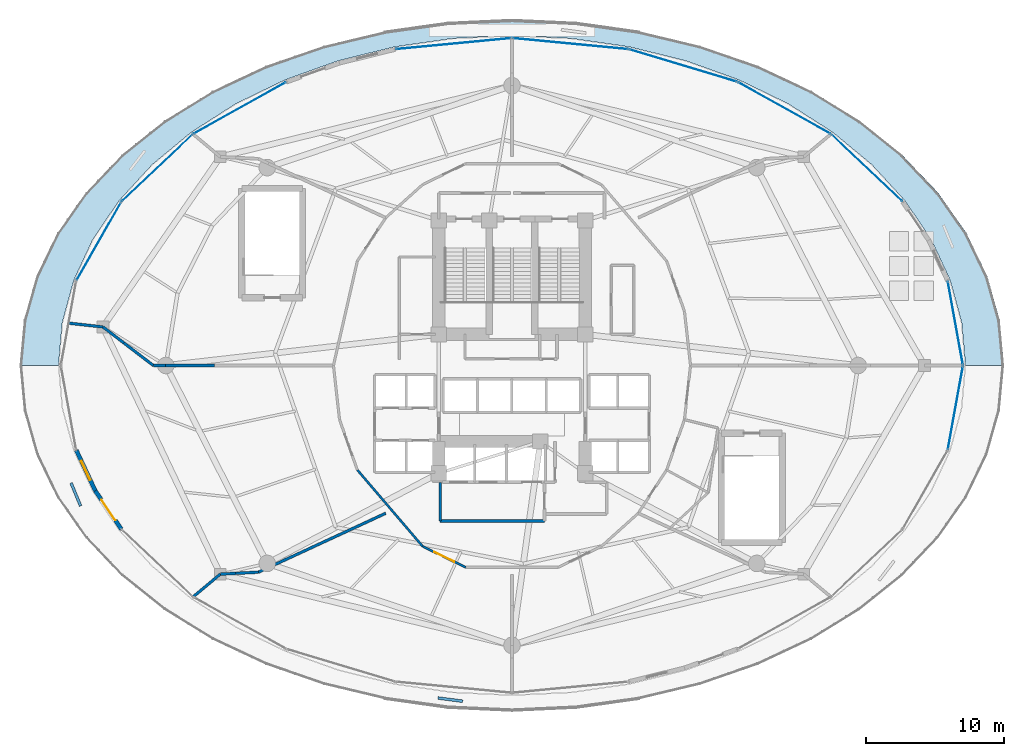
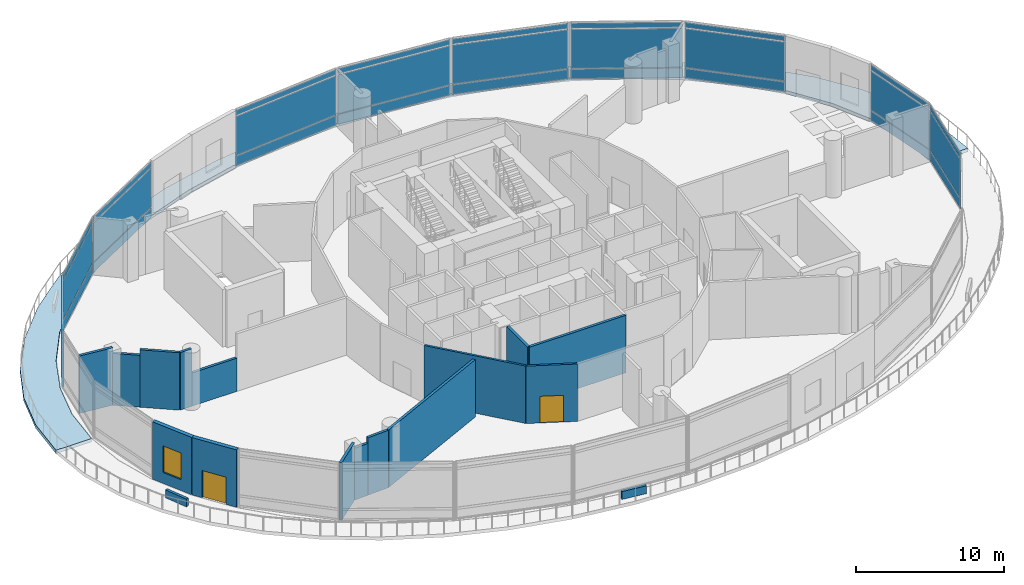
# One storey, part 25 of 34: 30 plates, 17 walls, 2 doors, 1 slab, 1 window, 3 openings, 10 elements without a shape of their own.
"""IFC4 building model written with IfcOpenShell, lengths in metres."""

import ifcopenshell
import ifcopenshell.guid

model = None  # the IFC model being written
_history = None  # IfcOwnerHistory: only IFC2X3 demands one
_inside = {}  # id of a spatial element -> (the spatial element, [elements in it])
_under = {}  # id of a project, library or spatial element -> (it, [spatial elements below it])
_declared = {}  # id of a project -> (the project, [libraries it declares])
_typed = {}  # id of a type object -> (the type object, [elements of that type])
_made_of = {}  # id of a material, layer set ... -> (it, [elements and type objects made of it])


def new_model(schema):
    """Start an empty IFC model of exactly this schema.

    Asked for "IFC4X3", IfcOpenShell would pick the latest addendum, in which some entities
    have other attributes; the version numbers below select the first issue.
    IFC2X3 requires an IfcOwnerHistory on every rooted entity: one is made here for all.
    """
    global model, _history
    if schema == "IFC4X3":
        model = ifcopenshell.file(schema_version=(4, 3, 0, 0))
    else:
        model = ifcopenshell.file(schema=schema)
    _inside.clear()
    _under.clear()
    _declared.clear()
    _typed.clear()
    _made_of.clear()
    _history = None
    if model.schema == "IFC2X3":
        org = make("IfcOrganization", Name="unknown")
        user = make(
            "IfcPersonAndOrganization",
            ThePerson=make("IfcPerson", FamilyName="unknown"),
            TheOrganization=org,
        )
        app = make(
            "IfcApplication",
            ApplicationDeveloper=org,
            Version="unknown",
            ApplicationFullName="unknown",
            ApplicationIdentifier="unknown",
        )
        _history = make(
            "IfcOwnerHistory",
            OwningUser=user,
            OwningApplication=app,
            ChangeAction="ADDED",
            CreationDate=0,
        )
    return model


def make(cls, **values):
    """One entity of the class cls with the attributes given. An attribute that is None is left unset."""
    return model.create_entity(
        cls, **{name: value for name, value in values.items() if value is not None}
    )


def rooted(cls, **values):
    """An entity with a GlobalId (a new one), such as an element, a storey or a relation."""
    return make(cls, GlobalId=ifcopenshell.guid.new(), OwnerHistory=_history, **values)


def si_unit(unit_type, name, prefix=None):
    """IfcSIUnit, for example si_unit("LENGTHUNIT", "METRE", prefix="MILLI")."""
    return make("IfcSIUnit", UnitType=unit_type, Prefix=prefix, Name=name)


def assignment(units):
    """IfcUnitAssignment: the units of a project."""
    return None if units is None else make("IfcUnitAssignment", Units=units)


def point(xyz):
    """IfcCartesianPoint."""
    return None if xyz is None else make("IfcCartesianPoint", Coordinates=xyz)


def direction(xyz):
    """IfcDirection."""
    return None if xyz is None else make("IfcDirection", DirectionRatios=xyz)


def frame(location, z_axis=None, x_axis=None):
    """IfcAxis2Placement3D, a coordinate frame: its origin and axes. An axis left out is left unset."""
    return make(
        "IfcAxis2Placement3D",
        Location=point(location),
        Axis=direction(z_axis),
        RefDirection=direction(x_axis),
    )


def frame_2d(location, x_axis=None):
    """IfcAxis2Placement2D, a coordinate frame in the plane: its origin and x axis."""
    return make(
        "IfcAxis2Placement2D", Location=point(location), RefDirection=direction(x_axis)
    )


def origin():
    """The frame at (0, 0, 0) with its axes left unset."""
    return frame((0.0, 0.0, 0.0))


def origin_2d():
    """The frame at (0, 0) in the plane with its x axis left unset."""
    return frame_2d((0.0, 0.0))


def place(relative_to, where):
    """IfcLocalPlacement: puts the frame where relative to a parent placement (None: the world)."""
    return make(
        "IfcLocalPlacement", PlacementRelTo=relative_to, RelativePlacement=where
    )


def context(
    kind, dimensions, precision=None, world=None, true_north=None, identifier=None
):
    """IfcGeometricRepresentationContext, for example the 3D "Model" context."""
    return make(
        "IfcGeometricRepresentationContext",
        ContextIdentifier=identifier,
        ContextType=kind,
        CoordinateSpaceDimension=dimensions,
        Precision=precision,
        WorldCoordinateSystem=world,
        TrueNorth=true_north,
    )


def subcontext(parent, identifier, kind, view, scale=None):
    """IfcGeometricRepresentationSubContext, for example "Body" below "Model"."""
    return make(
        "IfcGeometricRepresentationSubContext",
        ContextIdentifier=identifier,
        ContextType=kind,
        ParentContext=parent,
        TargetScale=scale,
        TargetView=view,
    )


def project(units=None, contexts=None):
    """IfcProject with its units and contexts."""
    return rooted(
        "IfcProject",
        Name="project",
        RepresentationContexts=contexts,
        UnitsInContext=assignment(units),
    )


def spatial(cls, under=None, at=None, **own):
    """A site, building, storey or space (cls), placed at a placement, below another one or the project."""
    s = rooted(cls, ObjectPlacement=at, **own)
    if under is not None:
        _under.setdefault(under.id(), (under, []))[1].append(s)
    return s


def polyline(points):
    """IfcPolyline through the points."""
    return make("IfcPolyline", Points=[point(p) for p in points])


def profile(cls, at=None, kind="AREA", **sizes):
    """A parametric profile (cls). Its sizes go by their IFC names, for example OverallWidth=200.0."""
    return make(cls, ProfileType=kind, Position=at, **sizes)


def rectangle(**sizes):
    """IfcRectangleProfileDef."""
    return profile("IfcRectangleProfileDef", **sizes)


def outline(outer, holes=None, kind="AREA"):
    """IfcArbitraryClosedProfileDef: a profile drawn as a closed curve; with holes, ...WithVoids."""
    if holes is None:
        return make("IfcArbitraryClosedProfileDef", ProfileType=kind, OuterCurve=outer)
    return make(
        "IfcArbitraryProfileDefWithVoids",
        ProfileType=kind,
        OuterCurve=outer,
        InnerCurves=holes,
    )


def extrude(swept, where, along, depth):
    """IfcExtrudedAreaSolid: the profile swept, set in the frame where, extruded along a direction by depth."""
    return make(
        "IfcExtrudedAreaSolid",
        SweptArea=swept,
        Position=where,
        ExtrudedDirection=direction(along),
        Depth=depth,
    )


def shape(context_of_items, identifier, shape_type, items):
    """IfcShapeRepresentation: the items that make up one representation, for example the "Body"."""
    return make(
        "IfcShapeRepresentation",
        ContextOfItems=context_of_items,
        RepresentationIdentifier=identifier,
        RepresentationType=shape_type,
        Items=items,
    )


def material(Name=None, Category=None):
    """IfcMaterial."""
    return make("IfcMaterial", Name=Name, Category=Category)


def layer(
    of_material, thickness, ventilated=None, Name=None, Category=None, Priority=None
):
    """IfcMaterialLayer: one layer of a wall or slab, of a material (None: an air gap)."""
    return make(
        "IfcMaterialLayer",
        Material=of_material,
        LayerThickness=thickness,
        IsVentilated=ventilated,
        Name=Name,
        Category=Category,
        Priority=Priority,
    )


def layer_set(layers, Name=None):
    """IfcMaterialLayerSet."""
    return make("IfcMaterialLayerSet", MaterialLayers=layers, LayerSetName=Name)


def made_of(thing, what):
    """Note that an element or type object is made of a material, layer set ...; save() writes the relation."""
    if what is not None:
        _made_of.setdefault(what.id(), (what, []))[1].append(thing)
    return thing


def type_object(cls, material=None, **own):
    """A type object (cls), such as IfcWallType, which elements share."""
    return made_of(rooted(cls, **own), material)


def element(
    cls,
    number,
    at=None,
    inside=None,
    cuts=None,
    type_object=None,
    material=None,
    context=None,
    identifier="Body",
    shape_type=None,
    held_by="IfcProductDefinitionShape",
    body=None,
    shapes=None,
    **own,
):
    """One element of the class cls, such as IfcWall. Its Tag is "e" and its number.

    at: its placement. inside: the storey or other place that contains it. cuts: it is an
    opening in that element (IfcRelVoidsElement). A single representation is given by context,
    identifier, shape_type and body (its items); several are given by shapes. held_by: the class
    of the entity that holds the representations. save() writes the other relations.
    """
    e = rooted(cls, Tag="e%d" % number, ObjectPlacement=at, **own)
    if body is not None:
        shapes = [shape(context, identifier, shape_type, body)]
    if shapes is not None:
        e.Representation = make(held_by, Representations=shapes)
    if inside is not None:
        _inside.setdefault(inside.id(), (inside, []))[1].append(e)
    if cuts is not None:
        rooted(
            "IfcRelVoidsElement", RelatingBuildingElement=cuts, RelatedOpeningElement=e
        )
    if type_object is not None:
        _typed.setdefault(type_object.id(), (type_object, []))[1].append(e)
    return made_of(e, material)


def fill(opening, filler):
    """IfcRelFillsElement: the door or window that sits in an opening."""
    return rooted(
        "IfcRelFillsElement",
        RelatingOpeningElement=opening,
        RelatedBuildingElement=filler,
    )


def aggregate(whole, parts):
    """IfcRelAggregates: a whole, such as a stair, and the parts it consists of."""
    return rooted("IfcRelAggregates", RelatingObject=whole, RelatedObjects=parts)


def save(model, path):
    """Write the relations noted so far, then the file.

    IfcRelAggregates (storeys below a building ...), IfcRelContainedInSpatialStructure (elements
    in a storey), IfcRelDefinesByType, IfcRelAssociatesMaterial and IfcRelDeclares: one each for
    every whole, place, type object, material and project.
    """
    for whole, parts in _under.values():
        aggregate(whole, parts)
    for where, things in _inside.values():
        rooted(
            "IfcRelContainedInSpatialStructure",
            RelatedElements=things,
            RelatingStructure=where,
        )
    for kind, things in _typed.values():
        rooted("IfcRelDefinesByType", RelatedObjects=things, RelatingType=kind)
    for what, things in _made_of.values():
        rooted("IfcRelAssociatesMaterial", RelatedObjects=things, RelatingMaterial=what)
    for by, libraries in _declared.values():
        rooted("IfcRelDeclares", RelatingContext=by, RelatedDefinitions=libraries)
    model.write(path)


model = new_model("IFC4")

# Units and contexts
model_context = context("Model", 3, precision=1e-05, world=origin(), true_north=direction((0.0, 1.0)))
body_context = subcontext(model_context, "Body", "Model", "MODEL_VIEW")
ifc_project = project(units=[si_unit("LENGTHUNIT", "METRE"), si_unit("AREAUNIT", "SQUARE_METRE"), si_unit("VOLUMEUNIT", "CUBIC_METRE"), si_unit("PLANEANGLEUNIT", "RADIAN"), si_unit("MASSUNIT", "GRAM", prefix="KILO")], contexts=[model_context])

# Site, building, storey
site_placement = place(None, origin())
site = spatial("IfcSite", under=ifc_project, at=site_placement, CompositionType="ELEMENT")
building_placement = place(site_placement, origin())
building = spatial("IfcBuilding", under=site, at=building_placement, Name="Nuhasar Tower", CompositionType="ELEMENT")
storey_placement = place(building_placement, frame((0.0, 0.0, 16.0)))
storey = spatial("IfcBuildingStorey", under=building, at=storey_placement, Name="L03", CompositionType="ELEMENT", Elevation=16.0)

# Curtain wall, plates
ifc_material_1 = material(Name="Aluminium 6063-T6", Category="aluminium")
ifc_layer_1 = layer(ifc_material_1, 0.219970703125)
ifc_layer_set_1 = layer_set([ifc_layer_1], Name="Aluminium 6063-T6")
curtain_wall_type = type_object("IfcCurtainWallType", Name="CW-PODIUM", PredefinedType="NOTDEFINED", material=ifc_layer_set_1)
curtain_wall_1_placement = place(storey_placement, origin())
curtain_wall_1 = element("IfcCurtainWall", 1, at=curtain_wall_1_placement, inside=storey, type_object=curtain_wall_type, Name="L03 Podium Curtain Wall Bay 01", PredefinedType="NOTDEFINED")
ifc_material_2 = material(Name="Glass Double Low-E", Category="glass")
ifc_layer_2 = layer(ifc_material_2, 0.028076171875)
ifc_layer_set_2 = layer_set([ifc_layer_2], Name="Glass Double Low-E")
plate_type_1 = type_object("IfcPlateType", Name="CW-PANEL-GLZ", PredefinedType="CURTAIN_PANEL", material=ifc_layer_set_2)
plate_1_placement = place(storey_placement, frame((71.083984375, 29.865478515625, 0.9375), z_axis=(0.0, 0.0, 1.0), x_axis=(-0.178461735474, 0.983946852717, 0.0)))
plate_1 = element("IfcPlate", 2, at=plate_1_placement, type_object=plate_type_1, Name="CW-P1 panel 1.2", PredefinedType="CURTAIN_PANEL", context=body_context, shape_type="SweptSolid", body=[
    extrude(rectangle(XDim=6.0810546875, YDim=0.028076171875, at=origin_2d()), origin(), (0.0, 0.0, 1.0), 3.215087890625),
])
plate_2_placement = place(storey_placement, frame((71.083984375, 29.865478515625, 4.2275390625), z_axis=(0.0, 0.0, 1.0), x_axis=(-0.178461735474, 0.983946852717, 0.0)))
plate_2 = element("IfcPlate", 3, at=plate_2_placement, type_object=plate_type_1, Name="CW-P1 panel 1.3", PredefinedType="CURTAIN_PANEL", context=body_context, shape_type="SweptSolid", body=[
    extrude(rectangle(XDim=6.0810546875, YDim=0.028076171875, at=origin_2d()), origin(), (0.0, 0.0, 1.0), 0.4375),
])

curtain_wall_2_placement = place(storey_placement, origin())
curtain_wall_2 = element("IfcCurtainWall", 4, at=curtain_wall_2_placement, inside=storey, type_object=curtain_wall_type, Name="L03 Podium Curtain Wall Bay 03", PredefinedType="NOTDEFINED")
plate_3_placement = place(storey_placement, frame((64.673583984375, 41.097900390625, 0.9375), z_axis=(0.0, 0.0, 1.0), x_axis=(-0.726511881777, 0.687153902439, 0.0)))
plate_3 = element("IfcPlate", 5, at=plate_3_placement, type_object=plate_type_1, Name="CW-P1 panel 1.2", PredefinedType="CURTAIN_PANEL", context=body_context, shape_type="SweptSolid", body=[
    extrude(rectangle(XDim=6.989501953125, YDim=0.028076171875, at=origin_2d()), origin(), (0.0, 0.0, 1.0), 3.215087890625),
])
plate_4_placement = place(storey_placement, frame((64.673583984375, 41.097900390625, 4.2275390625), z_axis=(0.0, 0.0, 1.0), x_axis=(-0.726511881777, 0.687153902439, 0.0)))
plate_4 = element("IfcPlate", 6, at=plate_4_placement, type_object=plate_type_1, Name="CW-P1 panel 1.3", PredefinedType="CURTAIN_PANEL", context=body_context, shape_type="SweptSolid", body=[
    extrude(rectangle(XDim=6.989501953125, YDim=0.028076171875, at=origin_2d()), origin(), (0.0, 0.0, 1.0), 0.4375),
])

curtain_wall_3_placement = place(storey_placement, origin())
curtain_wall_3 = element("IfcCurtainWall", 7, at=curtain_wall_3_placement, inside=storey, type_object=curtain_wall_type, Name="L03 Podium Curtain Wall Bay 04", PredefinedType="NOTDEFINED")
plate_5_placement = place(storey_placement, frame((58.699951171875, 45.43359375, 0.9375), z_axis=(0.0, 0.0, 1.0), x_axis=(-0.873638613406, 0.486575351992, 0.0)))
plate_5 = element("IfcPlate", 8, at=plate_5_placement, type_object=plate_type_1, Name="CW-P1 panel 1.2", PredefinedType="CURTAIN_PANEL", context=body_context, shape_type="SweptSolid", body=[
    extrude(rectangle(XDim=7.587646484375, YDim=0.028076171875, at=origin_2d()), origin(), (0.0, 0.0, 1.0), 3.215087890625),
])
plate_6_placement = place(storey_placement, frame((58.699951171875, 45.43359375, 4.2275390625), z_axis=(0.0, 0.0, 1.0), x_axis=(-0.873638613406, 0.486575351992, 0.0)))
plate_6 = element("IfcPlate", 9, at=plate_6_placement, type_object=plate_type_1, Name="CW-P1 panel 1.3", PredefinedType="CURTAIN_PANEL", context=body_context, shape_type="SweptSolid", body=[
    extrude(rectangle(XDim=7.587646484375, YDim=0.028076171875, at=origin_2d()), origin(), (0.0, 0.0, 1.0), 0.4375),
])

curtain_wall_4_placement = place(storey_placement, origin())
curtain_wall_4 = element("IfcCurtainWall", 10, at=curtain_wall_4_placement, inside=storey, type_object=curtain_wall_type, Name="L03 Podium Curtain Wall Bay 05", PredefinedType="NOTDEFINED")
plate_7_placement = place(storey_placement, frame((51.384033203125, 48.49951171875, 0.9375), z_axis=(0.0, 0.0, 1.0), x_axis=(-0.957645291583, 0.287950508783, 0.0)))
plate_7 = element("IfcPlate", 11, at=plate_7_placement, type_object=plate_type_1, Name="CW-P1 panel 1.2", PredefinedType="CURTAIN_PANEL", context=body_context, shape_type="SweptSolid", body=[
    extrude(rectangle(XDim=8.070068359375, YDim=0.028076171875, at=origin_2d()), origin(), (0.0, 0.0, 1.0), 3.215087890625),
])
plate_8_placement = place(storey_placement, frame((51.384033203125, 48.49951171875, 4.2275390625), z_axis=(0.0, 0.0, 1.0), x_axis=(-0.957645291583, 0.287950508783, 0.0)))
plate_8 = element("IfcPlate", 12, at=plate_8_placement, type_object=plate_type_1, Name="CW-P1 panel 1.3", PredefinedType="CURTAIN_PANEL", context=body_context, shape_type="SweptSolid", body=[
    extrude(rectangle(XDim=8.070068359375, YDim=0.028076171875, at=origin_2d()), origin(), (0.0, 0.0, 1.0), 0.4375),
])

curtain_wall_5_placement = place(storey_placement, origin())
curtain_wall_5 = element("IfcCurtainWall", 13, at=curtain_wall_5_placement, inside=storey, type_object=curtain_wall_type, Name="L03 Podium Curtain Wall Bay 06", PredefinedType="NOTDEFINED")
plate_9_placement = place(storey_placement, frame((43.22412109375, 50.08642578125, 0.9375), z_axis=(0.0, 0.0, 1.0), x_axis=(-0.995468422873, 0.095092686697, 0.0)))
plate_9 = element("IfcPlate", 14, at=plate_9_placement, type_object=plate_type_1, Name="CW-P1 panel 1.2", PredefinedType="CURTAIN_PANEL", context=body_context, shape_type="SweptSolid", body=[
    extrude(rectangle(XDim=8.33642578125, YDim=0.028076171875, at=origin_2d()), origin(), (0.0, 0.0, 1.0), 3.215087890625),
])
plate_10_placement = place(storey_placement, frame((43.22412109375, 50.08642578125, 4.2275390625), z_axis=(0.0, 0.0, 1.0), x_axis=(-0.995468422873, 0.095092686697, 0.0)))
plate_10 = element("IfcPlate", 15, at=plate_10_placement, type_object=plate_type_1, Name="CW-P1 panel 1.3", PredefinedType="CURTAIN_PANEL", context=body_context, shape_type="SweptSolid", body=[
    extrude(rectangle(XDim=8.33642578125, YDim=0.028076171875, at=origin_2d()), origin(), (0.0, 0.0, 1.0), 0.4375),
])

curtain_wall_6_placement = place(storey_placement, origin())
curtain_wall_6 = element("IfcCurtainWall", 16, at=curtain_wall_6_placement, inside=storey, type_object=curtain_wall_type, Name="L03 Podium Curtain Wall Bay 07", PredefinedType="NOTDEFINED")
plate_11_placement = place(storey_placement, frame((34.77587890625, 50.08642578125, 0.9375), z_axis=(0.0, 0.0, 1.0), x_axis=(-0.995468422873, -0.095092686697, 0.0)))
plate_11 = element("IfcPlate", 17, at=plate_11_placement, type_object=plate_type_1, Name="CW-P1 panel 1.2", PredefinedType="CURTAIN_PANEL", context=body_context, shape_type="SweptSolid", body=[
    extrude(rectangle(XDim=8.33642578125, YDim=0.028076171875, at=origin_2d()), origin(), (0.0, 0.0, 1.0), 3.215087890625),
])
plate_12_placement = place(storey_placement, frame((34.77587890625, 50.08642578125, 4.2275390625), z_axis=(0.0, 0.0, 1.0), x_axis=(-0.995468422873, -0.095092686697, 0.0)))
plate_12 = element("IfcPlate", 18, at=plate_12_placement, type_object=plate_type_1, Name="CW-P1 panel 1.3", PredefinedType="CURTAIN_PANEL", context=body_context, shape_type="SweptSolid", body=[
    extrude(rectangle(XDim=8.33642578125, YDim=0.028076171875, at=origin_2d()), origin(), (0.0, 0.0, 1.0), 0.4375),
])

curtain_wall_7_placement = place(storey_placement, origin())
curtain_wall_7 = element("IfcCurtainWall", 19, at=curtain_wall_7_placement, inside=storey, type_object=curtain_wall_type, Name="L03 Podium Curtain Wall Bay 09", PredefinedType="NOTDEFINED")
plate_13_placement = place(storey_placement, frame((19.300048828125, 45.43359375, 0.9375), z_axis=(0.0, 0.0, 1.0), x_axis=(-0.873638613406, -0.486575351992, 0.0)))
plate_13 = element("IfcPlate", 20, at=plate_13_placement, type_object=plate_type_1, Name="CW-P1 panel 1.2", PredefinedType="CURTAIN_PANEL", context=body_context, shape_type="SweptSolid", body=[
    extrude(rectangle(XDim=7.587646484375, YDim=0.028076171875, at=origin_2d()), origin(), (0.0, 0.0, 1.0), 3.215087890625),
])
plate_14_placement = place(storey_placement, frame((19.300048828125, 45.43359375, 4.2275390625), z_axis=(0.0, 0.0, 1.0), x_axis=(-0.873638613406, -0.486575351992, 0.0)))
plate_14 = element("IfcPlate", 21, at=plate_14_placement, type_object=plate_type_1, Name="CW-P1 panel 1.3", PredefinedType="CURTAIN_PANEL", context=body_context, shape_type="SweptSolid", body=[
    extrude(rectangle(XDim=7.587646484375, YDim=0.028076171875, at=origin_2d()), origin(), (0.0, 0.0, 1.0), 0.4375),
])

curtain_wall_8_placement = place(storey_placement, origin())
curtain_wall_8 = element("IfcCurtainWall", 22, at=curtain_wall_8_placement, inside=storey, type_object=curtain_wall_type, Name="L03 Podium Curtain Wall Bay 10", PredefinedType="NOTDEFINED")
plate_15_placement = place(storey_placement, frame((13.326416015625, 41.097900390625, 0.9375), z_axis=(0.0, 0.0, 1.0), x_axis=(-0.726511881777, -0.687153902439, 0.0)))
plate_15 = element("IfcPlate", 23, at=plate_15_placement, type_object=plate_type_1, Name="CW-P1 panel 1.2", PredefinedType="CURTAIN_PANEL", context=body_context, shape_type="SweptSolid", body=[
    extrude(rectangle(XDim=6.989501953125, YDim=0.028076171875, at=origin_2d()), origin(), (0.0, 0.0, 1.0), 3.215087890625),
])
plate_16_placement = place(storey_placement, frame((13.326416015625, 41.097900390625, 4.2275390625), z_axis=(0.0, 0.0, 1.0), x_axis=(-0.726511881777, -0.687153902439, 0.0)))
plate_16 = element("IfcPlate", 24, at=plate_16_placement, type_object=plate_type_1, Name="CW-P1 panel 1.3", PredefinedType="CURTAIN_PANEL", context=body_context, shape_type="SweptSolid", body=[
    extrude(rectangle(XDim=6.989501953125, YDim=0.028076171875, at=origin_2d()), origin(), (0.0, 0.0, 1.0), 0.4375),
])

curtain_wall_9_placement = place(storey_placement, origin())
curtain_wall_9 = element("IfcCurtainWall", 25, at=curtain_wall_9_placement, inside=storey, type_object=curtain_wall_type, Name="L03 Podium Curtain Wall Bay 11", PredefinedType="NOTDEFINED")
plate_17_placement = place(storey_placement, frame((9.1025390625, 35.7880859375, 0.9375), z_axis=(0.0, 0.0, 1.0), x_axis=(-0.495664164011, -0.86851426961, 0.0)))
plate_17 = element("IfcPlate", 26, at=plate_17_placement, type_object=plate_type_1, Name="CW-P1 panel 1.2", PredefinedType="CURTAIN_PANEL", context=body_context, shape_type="SweptSolid", body=[
    extrude(rectangle(XDim=6.428955078125, YDim=0.028076171875, at=origin_2d()), origin(), (0.0, 0.0, 1.0), 3.215087890625),
])
plate_18_placement = place(storey_placement, frame((9.1025390625, 35.7880859375, 4.2275390625), z_axis=(0.0, 0.0, 1.0), x_axis=(-0.495664164011, -0.86851426961, 0.0)))
plate_18 = element("IfcPlate", 27, at=plate_18_placement, type_object=plate_type_1, Name="CW-P1 panel 1.3", PredefinedType="CURTAIN_PANEL", context=body_context, shape_type="SweptSolid", body=[
    extrude(rectangle(XDim=6.428955078125, YDim=0.028076171875, at=origin_2d()), origin(), (0.0, 0.0, 1.0), 0.4375),
])

curtain_wall_10_placement = place(storey_placement, origin())
curtain_wall_10 = element("IfcCurtainWall", 28, at=curtain_wall_10_placement, inside=storey, type_object=curtain_wall_type, Name="L03 Podium Curtain Wall Bay 24", PredefinedType="NOTDEFINED")
plate_19_placement = place(storey_placement, frame((71.083984375, 23.734619140625, 0.9375), z_axis=(0.0, 0.0, 1.0), x_axis=(0.178461735474, 0.983946852717, 0.0)))
plate_19 = element("IfcPlate", 29, at=plate_19_placement, type_object=plate_type_1, Name="CW-P1 panel 1.2", PredefinedType="CURTAIN_PANEL", context=body_context, shape_type="SweptSolid", body=[
    extrude(rectangle(XDim=6.0810546875, YDim=0.028076171875, at=origin_2d()), origin(), (0.0, 0.0, 1.0), 3.215087890625),
])
plate_20_placement = place(storey_placement, frame((71.083984375, 23.734619140625, 4.2275390625), z_axis=(0.0, 0.0, 1.0), x_axis=(0.178461735474, 0.983946852717, 0.0)))
plate_20 = element("IfcPlate", 30, at=plate_20_placement, type_object=plate_type_1, Name="CW-P1 panel 1.3", PredefinedType="CURTAIN_PANEL", context=body_context, shape_type="SweptSolid", body=[
    extrude(rectangle(XDim=6.0810546875, YDim=0.028076171875, at=origin_2d()), origin(), (0.0, 0.0, 1.0), 0.4375),
])

# Plate
ifc_material_3 = material(Name="Glass Spandrel", Category="glass")
ifc_layer_3 = layer(ifc_material_3, 0.035888671875)
ifc_layer_set_3 = layer_set([ifc_layer_3], Name="Glass Spandrel")
plate_type_2 = type_object("IfcPlateType", Name="CW-PANEL-SPN", PredefinedType="CURTAIN_PANEL", material=ifc_layer_set_3)
plate_21_placement = place(storey_placement, frame((71.083984375, 29.865478515625, 0.074951171875), z_axis=(0.0, 0.0, 1.0), x_axis=(-0.178461735474, 0.983946852717, 0.0)))
plate_21 = element("IfcPlate", 31, at=plate_21_placement, type_object=plate_type_2, Name="CW-P1 panel 1.1", PredefinedType="CURTAIN_PANEL", context=body_context, shape_type="SweptSolid", body=[
    extrude(rectangle(XDim=6.0810546875, YDim=0.035888671875, at=origin_2d()), origin(), (0.0, 0.0, 1.0), 0.78759765625),
])

aggregate(curtain_wall_1, [plate_21, plate_1, plate_2])

plate_22_placement = place(storey_placement, frame((64.673583984375, 41.097900390625, 0.074951171875), z_axis=(0.0, 0.0, 1.0), x_axis=(-0.726511881777, 0.687153902439, 0.0)))
plate_22 = element("IfcPlate", 32, at=plate_22_placement, type_object=plate_type_2, Name="CW-P1 panel 1.1", PredefinedType="CURTAIN_PANEL", context=body_context, shape_type="SweptSolid", body=[
    extrude(rectangle(XDim=6.989501953125, YDim=0.035888671875, at=origin_2d()), origin(), (0.0, 0.0, 1.0), 0.78759765625),
])

aggregate(curtain_wall_2, [plate_22, plate_3, plate_4])

plate_23_placement = place(storey_placement, frame((58.699951171875, 45.43359375, 0.074951171875), z_axis=(0.0, 0.0, 1.0), x_axis=(-0.873638613406, 0.486575351992, 0.0)))
plate_23 = element("IfcPlate", 33, at=plate_23_placement, type_object=plate_type_2, Name="CW-P1 panel 1.1", PredefinedType="CURTAIN_PANEL", context=body_context, shape_type="SweptSolid", body=[
    extrude(rectangle(XDim=7.587646484375, YDim=0.035888671875, at=origin_2d()), origin(), (0.0, 0.0, 1.0), 0.78759765625),
])

aggregate(curtain_wall_3, [plate_23, plate_5, plate_6])

plate_24_placement = place(storey_placement, frame((51.384033203125, 48.49951171875, 0.074951171875), z_axis=(0.0, 0.0, 1.0), x_axis=(-0.957645291583, 0.287950508783, 0.0)))
plate_24 = element("IfcPlate", 34, at=plate_24_placement, type_object=plate_type_2, Name="CW-P1 panel 1.1", PredefinedType="CURTAIN_PANEL", context=body_context, shape_type="SweptSolid", body=[
    extrude(rectangle(XDim=8.070068359375, YDim=0.035888671875, at=origin_2d()), origin(), (0.0, 0.0, 1.0), 0.78759765625),
])

aggregate(curtain_wall_4, [plate_24, plate_7, plate_8])

plate_25_placement = place(storey_placement, frame((43.22412109375, 50.08642578125, 0.074951171875), z_axis=(0.0, 0.0, 1.0), x_axis=(-0.995468422873, 0.095092686697, 0.0)))
plate_25 = element("IfcPlate", 35, at=plate_25_placement, type_object=plate_type_2, Name="CW-P1 panel 1.1", PredefinedType="CURTAIN_PANEL", context=body_context, shape_type="SweptSolid", body=[
    extrude(rectangle(XDim=8.33642578125, YDim=0.035888671875, at=origin_2d()), origin(), (0.0, 0.0, 1.0), 0.78759765625),
])

aggregate(curtain_wall_5, [plate_25, plate_9, plate_10])

plate_26_placement = place(storey_placement, frame((34.77587890625, 50.08642578125, 0.074951171875), z_axis=(0.0, 0.0, 1.0), x_axis=(-0.995468422873, -0.095092686697, 0.0)))
plate_26 = element("IfcPlate", 36, at=plate_26_placement, type_object=plate_type_2, Name="CW-P1 panel 1.1", PredefinedType="CURTAIN_PANEL", context=body_context, shape_type="SweptSolid", body=[
    extrude(rectangle(XDim=8.33642578125, YDim=0.035888671875, at=origin_2d()), origin(), (0.0, 0.0, 1.0), 0.78759765625),
])

aggregate(curtain_wall_6, [plate_26, plate_11, plate_12])

plate_27_placement = place(storey_placement, frame((19.300048828125, 45.43359375, 0.074951171875), z_axis=(0.0, 0.0, 1.0), x_axis=(-0.873638613406, -0.486575351992, 0.0)))
plate_27 = element("IfcPlate", 37, at=plate_27_placement, type_object=plate_type_2, Name="CW-P1 panel 1.1", PredefinedType="CURTAIN_PANEL", context=body_context, shape_type="SweptSolid", body=[
    extrude(rectangle(XDim=7.587646484375, YDim=0.035888671875, at=origin_2d()), origin(), (0.0, 0.0, 1.0), 0.78759765625),
])

aggregate(curtain_wall_7, [plate_27, plate_13, plate_14])

plate_28_placement = place(storey_placement, frame((13.326416015625, 41.097900390625, 0.074951171875), z_axis=(0.0, 0.0, 1.0), x_axis=(-0.726511881777, -0.687153902439, 0.0)))
plate_28 = element("IfcPlate", 38, at=plate_28_placement, type_object=plate_type_2, Name="CW-P1 panel 1.1", PredefinedType="CURTAIN_PANEL", context=body_context, shape_type="SweptSolid", body=[
    extrude(rectangle(XDim=6.989501953125, YDim=0.035888671875, at=origin_2d()), origin(), (0.0, 0.0, 1.0), 0.78759765625),
])

aggregate(curtain_wall_8, [plate_28, plate_15, plate_16])

plate_29_placement = place(storey_placement, frame((9.1025390625, 35.7880859375, 0.074951171875), z_axis=(0.0, 0.0, 1.0), x_axis=(-0.495664164011, -0.86851426961, 0.0)))
plate_29 = element("IfcPlate", 39, at=plate_29_placement, type_object=plate_type_2, Name="CW-P1 panel 1.1", PredefinedType="CURTAIN_PANEL", context=body_context, shape_type="SweptSolid", body=[
    extrude(rectangle(XDim=6.428955078125, YDim=0.035888671875, at=origin_2d()), origin(), (0.0, 0.0, 1.0), 0.78759765625),
])

aggregate(curtain_wall_9, [plate_29, plate_17, plate_18])

plate_30_placement = place(storey_placement, frame((71.083984375, 23.734619140625, 0.074951171875), z_axis=(0.0, 0.0, 1.0), x_axis=(0.178461735474, 0.983946852717, 0.0)))
plate_30 = element("IfcPlate", 40, at=plate_30_placement, type_object=plate_type_2, Name="CW-P1 panel 1.1", PredefinedType="CURTAIN_PANEL", context=body_context, shape_type="SweptSolid", body=[
    extrude(rectangle(XDim=6.0810546875, YDim=0.035888671875, at=origin_2d()), origin(), (0.0, 0.0, 1.0), 0.78759765625),
])

aggregate(curtain_wall_10, [plate_30, plate_19, plate_20])

# Slab
ifc_material_4 = material(Name="Concrete C45/55", Category="concrete")
ifc_layer_4 = layer(ifc_material_4, 0.280029296875)
ifc_layer_set_4 = layer_set([ifc_layer_4], Name="Concrete C45/55")
slab_type = type_object("IfcSlabType", Name="SLB-TERR-280", PredefinedType="FLOOR", material=ifc_layer_set_4)
slab_placement = place(storey_placement, frame((0.0, 0.0, -0.280029296875)))
element("IfcSlab", 41, at=slab_placement, inside=storey, type_object=slab_type, Name="L03 Cascading Bustan Planted Terrace Slab North", PredefinedType="FLOOR", context=body_context, shape_type="SweptSolid", body=[
    extrude(outline(polyline([(74.60009765625, 26.800048828125), (74.294921875, 30.06298828125), (73.386962890625, 33.27001953125), (71.889892578125, 36.366943359375), (69.8310546875, 39.300048828125), (67.242919921875, 42.01904296875), (64.173095703125, 44.47802734375), (60.672119140625, 46.634033203125), (56.800048828125, 48.450927734375), (52.6240234375, 49.89697265625), (48.214111328125, 50.947998046875), (43.64697265625, 51.5859375), (39.0, 51.800048828125), (34.35302734375, 51.5859375), (29.785888671875, 50.947998046875), (25.3759765625, 49.89697265625), (21.199951171875, 48.450927734375), (17.327880859375, 46.634033203125), (13.826904296875, 44.47802734375), (10.757080078125, 42.01904296875), (8.1689453125, 39.300048828125), (6.110107421875, 36.366943359375), (4.613037109375, 33.27001953125), (3.705078125, 30.06298828125), (3.39990234375, 26.800048828125), (6.179931640625, 26.800048828125), (6.4609375, 29.916015625), (7.298095703125, 32.97802734375), (8.677978515625, 35.93505859375), (10.576904296875, 38.735107421875), (12.9619140625, 41.3310546875), (15.79296875, 43.678955078125), (19.02001953125, 45.737060546875), (22.590087890625, 47.471923828125), (26.43994140625, 48.85302734375), (30.506103515625, 49.85693359375), (34.716064453125, 50.466064453125), (39.0, 50.669921875), (43.283935546875, 50.466064453125), (47.493896484375, 49.85693359375), (51.56005859375, 48.85302734375), (55.409912109375, 47.471923828125), (58.97998046875, 45.737060546875), (62.20703125, 43.678955078125), (65.0380859375, 41.3310546875), (67.423095703125, 38.735107421875), (69.322021484375, 35.93505859375), (70.701904296875, 32.97802734375), (71.5390625, 29.916015625), (71.820068359375, 26.800048828125), (74.60009765625, 26.800048828125)])), origin(), (0.0, 0.0, 1.0), 0.280029296875),
])

# Wall, opening, window
ifc_layer_5 = layer(ifc_material_4, 0.239990234375)
ifc_material_5 = material(Name="Limestone Ashlar", Category="masonry")
ifc_layer_6 = layer(ifc_material_5, 0.06005859375)
ifc_layer_set_5 = layer_set([ifc_layer_5, ifc_layer_6], Name="Concrete C45/55")
wall_type_1 = type_object("IfcWallType", Name="WL-ARC-300", PredefinedType="STANDARD", material=ifc_layer_set_5)
wall_1_placement = place(storey_placement, frame((8.844970703125, 17.73388671875, 0.0), z_axis=(0.0, 0.0, 1.0), x_axis=(-0.423734962383, 0.905786222932, 0.0)))
wall_1 = element("IfcWall", 42, at=wall_1_placement, inside=storey, type_object=wall_type_1, Name="L03 Limestone Arcade Spandrel Pier 14-1", PredefinedType="STANDARD", context=body_context, shape_type="SweptSolid", body=[
    extrude(rectangle(XDim=3.240234375, YDim=0.300048828125, at=frame_2d((1.6201171875, 0.0))), origin(), (0.0, 0.0, 1.0), 4.739990234375),
])
opening_1_placement = place(wall_1_placement, frame((0.8701171875, 0.0, 0.89990234375)))
opening_1 = element("IfcOpeningElement", 43, at=opening_1_placement, cuts=wall_1, Name="Opening WX-02", PredefinedType="OPENING", context=body_context, shape_type="SweptSolid", body=[
    extrude(rectangle(XDim=1.5, YDim=2.199951171875, at=frame_2d((0.75, 1.10009765625))), frame((0.0, 0.16015625, 0.0), z_axis=(0.0, -1.0, 0.0), x_axis=(1.0, 0.0, 0.0)), (0.0, 0.0, 1.0), 0.320068359375),
])
window_type = type_object("IfcWindowType", Name="WIN-ARC-1500", PartitioningType="DOUBLE_PANEL_VERTICAL", PredefinedType="WINDOW", material=ifc_material_2)
window_placement = place(opening_1_placement, origin())
window = element("IfcWindow", 44, at=window_placement, inside=storey, type_object=window_type, Name="L03 Arcade Vision Window 14", OverallHeight=2.199951171875, OverallWidth=1.5, PartitioningType="DOUBLE_PANEL_VERTICAL", PredefinedType="WINDOW", context=body_context, shape_type="SweptSolid", body=[
    extrude(rectangle(XDim=1.5, YDim=2.199951171875, at=frame_2d((0.75, 1.10009765625))), frame((0.0, 0.030029296875, 0.0), z_axis=(0.0, -1.0, 0.0), x_axis=(1.0, 0.0, 0.0)), (0.0, 0.0, 1.0), 0.06005859375),
])
fill(opening_1, window)

# Wall, opening, door
wall_2_placement = place(storey_placement, frame((10.73291015625, 14.955078125, 0.0), z_axis=(0.0, 0.0, 1.0), x_axis=(-0.561974045027, 0.827154866223, 0.0)))
wall_2 = element("IfcWall", 45, at=wall_2_placement, inside=storey, type_object=wall_type_1, Name="L03 Limestone Arcade Spandrel Pier 14-2", PredefinedType="STANDARD", context=body_context, shape_type="SweptSolid", body=[
    extrude(rectangle(XDim=3.359375, YDim=0.300048828125, at=frame_2d((1.6796875, 0.0))), origin(), (0.0, 0.0, 1.0), 4.739990234375),
])
opening_2_placement = place(wall_2_placement, frame((0.780029296875, 0.0, 0.0)))
opening_2 = element("IfcOpeningElement", 46, at=opening_2_placement, cuts=wall_2, Name="Opening DX-02", PredefinedType="OPENING", context=body_context, shape_type="SweptSolid", body=[
    extrude(rectangle(XDim=1.800048828125, YDim=2.25, at=frame_2d((0.89990234375, 1.125))), frame((0.0, 0.16015625, 0.0), z_axis=(0.0, -1.0, 0.0), x_axis=(1.0, 0.0, 0.0)), (0.0, 0.0, 1.0), 0.320068359375),
])
door_type_1 = type_object("IfcDoorType", Name="DR-TERR-1800", OperationType="DOUBLE_DOOR_SINGLE_SWING", PredefinedType="DOOR", material=ifc_material_1)
door_1_placement = place(opening_2_placement, origin())
door_1 = element("IfcDoor", 47, at=door_1_placement, inside=storey, type_object=door_type_1, Name="L03 Bustan Terrace Door 14", OperationType="DOUBLE_DOOR_SINGLE_SWING", OverallHeight=2.25, OverallWidth=1.800048828125, PredefinedType="DOOR", context=body_context, shape_type="SweptSolid", body=[
    extrude(rectangle(XDim=1.800048828125, YDim=2.25, at=frame_2d((0.89990234375, 1.125))), frame((0.0, 0.02490234375, 0.0), z_axis=(0.0, -1.0, 0.0), x_axis=(1.0, 0.0, 0.0)), (0.0, 0.0, 1.0), 0.050048828125),
])
fill(opening_2, door_1)

# Wall
ifc_material_6 = material(Name="Gypsum Board", Category="gypsum")
ifc_layer_7 = layer(ifc_material_6, 0.159912109375)
ifc_layer_set_6 = layer_set([ifc_layer_7], Name="Gypsum Board")
wall_type_2 = type_object("IfcWallType", Name="WL-CORR-160", PredefinedType="PARTITIONING", material=ifc_layer_set_6)
wall_3_placement = place(storey_placement, frame((27.81103515625, 19.239990234375, 0.0), z_axis=(0.0, 0.0, 1.0), x_axis=(0.649652680018, -0.760231145998, 0.0)))
element("IfcWall", 48, at=wall_3_placement, inside=storey, type_object=wall_type_2, Name="L03 Interior Partition CORR-28", PredefinedType="PARTITIONING", context=body_context, shape_type="SweptSolid", body=[
    extrude(rectangle(XDim=7.279296875, YDim=0.159912109375, at=frame_2d((3.6396484375, 0.0))), origin(), (0.0, 0.0, 1.0), 4.739990234375),
])

# Wall, opening, door
wall_4_placement = place(storey_placement, frame((35.656005859375, 12.195068359375, 0.0), z_axis=(0.0, 0.0, 1.0), x_axis=(-0.899789784655, 0.436323668199, 0.0)))
wall_4 = element("IfcWall", 49, at=wall_4_placement, inside=storey, type_object=wall_type_2, Name="L03 Interior Partition CORR-32", PredefinedType="PARTITIONING", context=body_context, shape_type="SweptSolid", body=[
    extrude(rectangle(XDim=3.462890625, YDim=0.159912109375, at=frame_2d((1.7314453125, 0.0))), origin(), (0.0, 0.0, 1.0), 4.739990234375),
])
opening_3_placement = place(wall_4_placement, frame((0.931884765625, 0.0, 0.0)))
opening_3 = element("IfcOpeningElement", 50, at=opening_3_placement, cuts=wall_4, Name="Opening DC-01", PredefinedType="OPENING", context=body_context, shape_type="SweptSolid", body=[
    extrude(rectangle(XDim=1.60009765625, YDim=2.199951171875, at=frame_2d((0.800048828125, 1.10009765625))), frame((0.0, 0.08984375, 0.0), z_axis=(0.0, -1.0, 0.0), x_axis=(1.0, 0.0, 0.0)), (0.0, 0.0, 1.0), 0.179931640625),
])
ifc_material_7 = material(Name="Steel S355", Category="steel")
door_type_2 = type_object("IfcDoorType", Name="DR-CORR-FD60-1600", OperationType="DOUBLE_DOOR_SINGLE_SWING", PredefinedType="DOOR", material=ifc_material_7)
door_2_placement = place(opening_3_placement, origin())
door_2 = element("IfcDoor", 51, at=door_2_placement, inside=storey, type_object=door_type_2, Name="L03 Wellness Pavilion Lounge Door", OperationType="DOUBLE_DOOR_SINGLE_SWING", OverallHeight=2.199951171875, OverallWidth=1.60009765625, PredefinedType="DOOR", context=body_context, shape_type="SweptSolid", body=[
    extrude(rectangle(XDim=1.60009765625, YDim=2.199951171875, at=frame_2d((0.800048828125, 1.10009765625))), frame((0.0, 0.02490234375, 0.0), z_axis=(0.0, -1.0, 0.0), x_axis=(1.0, 0.0, 0.0)), (0.0, 0.0, 1.0), 0.050048828125),
])
fill(opening_3, door_2)

# Walls
ifc_layer_8 = layer(ifc_material_4, 0.199951171875)
ifc_layer_set_7 = layer_set([ifc_layer_8], Name="Concrete C45/55")
wall_type_3 = type_object("IfcWallType", Name="WL-LOBBY-200", PredefinedType="SOLIDWALL", material=ifc_layer_set_7)
wall_5_placement = place(storey_placement, frame((33.800048828125, 15.550048828125, 0.0), z_axis=(0.0, 0.0, 1.0), x_axis=(1.0, 0.0, 0.0)))
element("IfcWall", 52, at=wall_5_placement, inside=storey, type_object=wall_type_3, Name="L03 Interior Partition FFL-S", PredefinedType="SOLIDWALL", context=body_context, shape_type="SweptSolid", body=[
    extrude(rectangle(XDim=7.550048828125, YDim=0.199951171875, at=frame_2d((3.77490234375, 0.0))), origin(), (0.0, 0.0, 1.0), 4.739990234375),
])
wall_6_placement = place(storey_placement, frame((33.800048828125, 15.550048828125, 0.0), z_axis=(0.0, 0.0, 1.0), x_axis=(0.0, 1.0, 0.0)))
element("IfcWall", 53, at=wall_6_placement, inside=storey, type_object=wall_type_3, Name="L03 Interior Partition FFL-W", PredefinedType="SOLIDWALL", context=body_context, shape_type="SweptSolid", body=[
    extrude(rectangle(XDim=2.800048828125, YDim=0.199951171875, at=frame_2d((1.39990234375, 0.0))), origin(), (0.0, 0.0, 1.0), 4.739990234375),
])
ifc_layer_9 = layer(ifc_material_4, 0.199951171875)
ifc_layer_set_8 = layer_set([ifc_layer_9], Name="Concrete C45/55")
wall_type_4 = type_object("IfcWallType", Name="WL-PLANTER-200", PredefinedType="ELEMENTEDWALL", material=ifc_layer_set_8)
wall_7_placement = place(storey_placement, frame((7.784912109375, 16.636962890625, 0.0), z_axis=(0.0, 0.0, 1.0), x_axis=(-0.382727098568, 0.923861444169, 0.0)))
element("IfcWall", 54, at=wall_7_placement, inside=storey, type_object=wall_type_4, Name="L03 Bustan Garden Planter Curb 04", PredefinedType="ELEMENTEDWALL", context=body_context, shape_type="SweptSolid", body=[
    extrude(rectangle(XDim=1.800048828125, YDim=0.199951171875, at=frame_2d((0.89990234375, 0.0))), origin(), (0.0, 0.0, 1.0), 0.64990234375),
])
wall_8_placement = place(storey_placement, frame((35.43408203125, 2.506103515625, 0.0), z_axis=(0.0, 0.0, 1.0), x_axis=(-0.991456141502, 0.130440482512, 0.0)))
element("IfcWall", 55, at=wall_8_placement, inside=storey, type_object=wall_type_4, Name="L03 Bustan Garden Planter Curb 05", PredefinedType="ELEMENTEDWALL", context=body_context, shape_type="SweptSolid", body=[
    extrude(rectangle(XDim=1.800537109375, YDim=0.199951171875, at=frame_2d((0.900390625, 0.0))), origin(), (0.0, 0.0, 1.0), 0.64990234375),
])
ifc_material_8 = material(Name="Concrete C40/50 precast", Category="concrete")
ifc_layer_10 = layer(ifc_material_8, 0.199951171875)
ifc_layer_set_9 = layer_set([ifc_layer_10], Name="Concrete C40/50 precast")
wall_type_5 = type_object("IfcWallType", Name="WL-UNIT-200", PredefinedType="PARTITIONING", material=ifc_layer_set_9)
wall_9_placement = place(storey_placement, frame((17.47802734375, 26.800048828125, 0.0), z_axis=(0.0, 0.0, 1.0), x_axis=(-1.0, 0.0, 0.0)))
element("IfcWall", 56, at=wall_9_placement, inside=storey, type_object=wall_type_5, Name="L03 Interior Partition PRAD-24-S1", PredefinedType="PARTITIONING", context=body_context, shape_type="SweptSolid", body=[
    extrude(rectangle(XDim=3.5390625, YDim=0.199951171875, at=frame_2d((1.76953125, 0.0))), origin(), (0.0, 0.0, 1.0), 2.739990234375),
])
wall_10_placement = place(storey_placement, frame((13.93896484375, 26.800048828125, 0.0), z_axis=(0.0, 0.0, 1.0), x_axis=(-1.0, 0.0, 0.0)))
element("IfcWall", 57, at=wall_10_placement, inside=storey, type_object=wall_type_5, Name="L03 Interior Partition PRAD-24-S1", PredefinedType="PARTITIONING", context=body_context, shape_type="SweptSolid", body=[
    extrude(rectangle(XDim=0.888916015625, YDim=0.199951171875, at=frame_2d((0.4443359375, 0.0))), origin(), (0.0, 0.0, 1.0), 4.739990234375),
])
wall_11_placement = place(storey_placement, frame((13.050048828125, 26.800048828125, 0.0), z_axis=(0.0, 0.0, 1.0), x_axis=(-0.794337234882, 0.607477042595, 0.0)))
element("IfcWall", 58, at=wall_11_placement, inside=storey, type_object=wall_type_5, Name="L03 Interior Partition PRAD-24-S2", PredefinedType="PARTITIONING", context=body_context, shape_type="SweptSolid", body=[
    extrude(rectangle(XDim=2.69140625, YDim=0.199951171875, at=frame_2d((1.345703125, 0.0))), origin(), (0.0, 0.0, 1.0), 4.739990234375),
])
wall_12_placement = place(storey_placement, frame((10.912109375, 28.43505859375, 0.0), z_axis=(0.0, 0.0, 1.0), x_axis=(-0.794514897702, 0.607244660191, 0.0)))
element("IfcWall", 59, at=wall_12_placement, inside=storey, type_object=wall_type_5, Name="L03 Interior Partition PRAD-24-S2", PredefinedType="PARTITIONING", context=body_context, shape_type="SweptSolid", body=[
    extrude(rectangle(XDim=1.89697265625, YDim=0.199951171875, at=frame_2d((0.948486328125, 0.0))), origin(), (0.0, 0.0, 1.0), 4.280029296875),
])
wall_13_placement = place(storey_placement, frame((9.405029296875, 29.5869140625, 0.0), z_axis=(0.0, 0.0, 1.0), x_axis=(-0.993822114043, 0.110984709036, 0.0)))
element("IfcWall", 60, at=wall_13_placement, inside=storey, type_object=wall_type_5, Name="L03 Interior Partition PRAD-24-S3", PredefinedType="PARTITIONING", context=body_context, shape_type="SweptSolid", body=[
    extrude(rectangle(XDim=2.470458984375, YDim=0.199951171875, at=frame_2d((1.2353515625, 0.0))), origin(), (0.0, 0.0, 1.0), 4.739990234375),
])
wall_14_placement = place(storey_placement, frame((29.864013671875, 16.10888671875, 0.0), z_axis=(0.0, 0.0, 1.0), x_axis=(-0.907520382507, -0.420008041988, 0.0)))
element("IfcWall", 61, at=wall_14_placement, inside=storey, type_object=wall_type_5, Name="L03 Interior Partition PRAD-30-S1", PredefinedType="PARTITIONING", context=body_context, shape_type="SweptSolid", body=[
    extrude(rectangle(XDim=10.152099609375, YDim=0.199951171875, at=frame_2d((5.076171875, 0.0))), origin(), (0.0, 0.0, 1.0), 4.739990234375),
])
wall_15_placement = place(storey_placement, frame((20.65087890625, 11.844970703125, 0.0), z_axis=(0.0, 0.0, 1.0), x_axis=(-0.998692725363, -0.051115949639, 0.0)))
element("IfcWall", 62, at=wall_15_placement, inside=storey, type_object=wall_type_5, Name="L03 Interior Partition PRAD-30-S2", PredefinedType="PARTITIONING", context=body_context, shape_type="SweptSolid", body=[
    extrude(rectangle(XDim=1.64306640625, YDim=0.199951171875, at=frame_2d((0.821533203125, 0.0))), origin(), (0.0, 0.0, 1.0), 4.739990234375),
])
wall_16_placement = place(storey_placement, frame((19.010009765625, 11.760986328125, 0.0), z_axis=(0.0, 0.0, 1.0), x_axis=(-0.998649603439, -0.051951607785, 0.0)))
element("IfcWall", 63, at=wall_16_placement, inside=storey, type_object=wall_type_5, Name="L03 Interior Partition PRAD-30-S2", PredefinedType="PARTITIONING", context=body_context, shape_type="SweptSolid", body=[
    extrude(rectangle(XDim=1.118408203125, YDim=0.199951171875, at=frame_2d((0.55908203125, 0.0))), origin(), (0.0, 0.0, 1.0), 4.280029296875),
])
wall_17_placement = place(storey_placement, frame((17.89306640625, 11.702880859375, 0.0), z_axis=(0.0, 0.0, 1.0), x_axis=(-0.76695128647, -0.641705325038, 0.0)))
element("IfcWall", 64, at=wall_17_placement, inside=storey, type_object=wall_type_5, Name="L03 Interior Partition PRAD-30-S3", PredefinedType="PARTITIONING", context=body_context, shape_type="SweptSolid", body=[
    extrude(rectangle(XDim=2.5400390625, YDim=0.199951171875, at=frame_2d((1.27001953125, 0.0))), origin(), (0.0, 0.0, 1.0), 4.739990234375),
])

save(model, "model.ifc")
